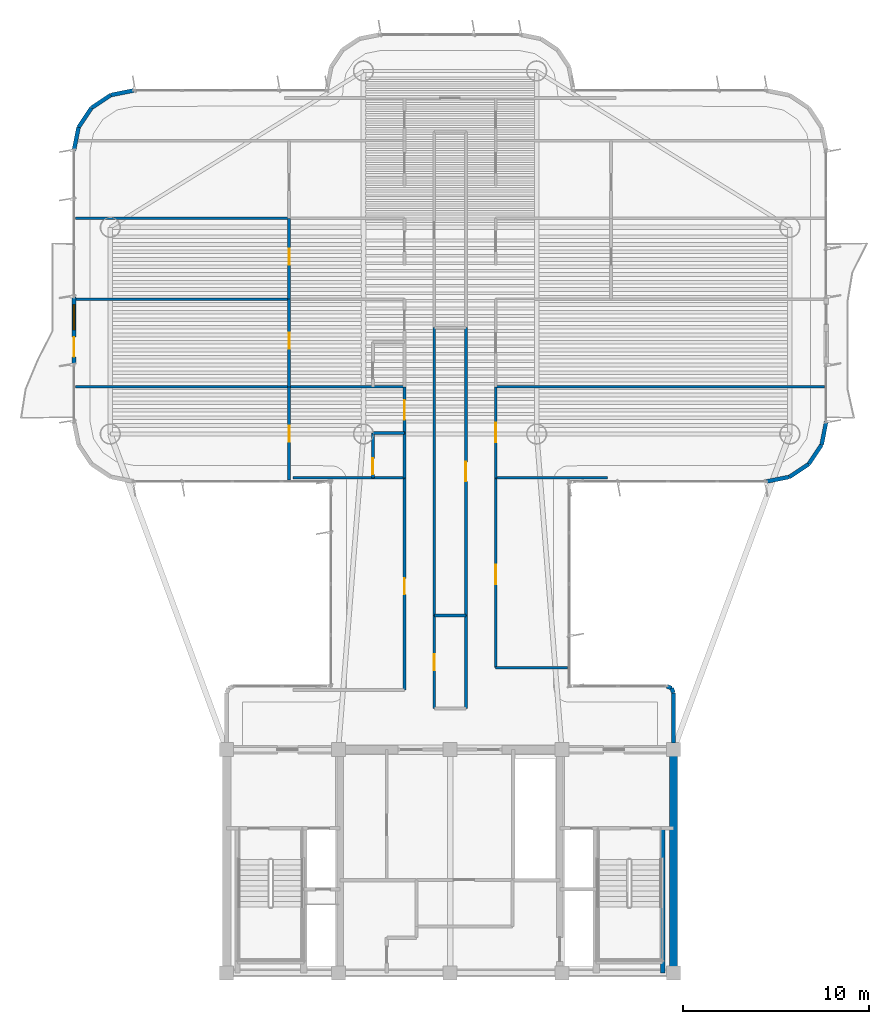
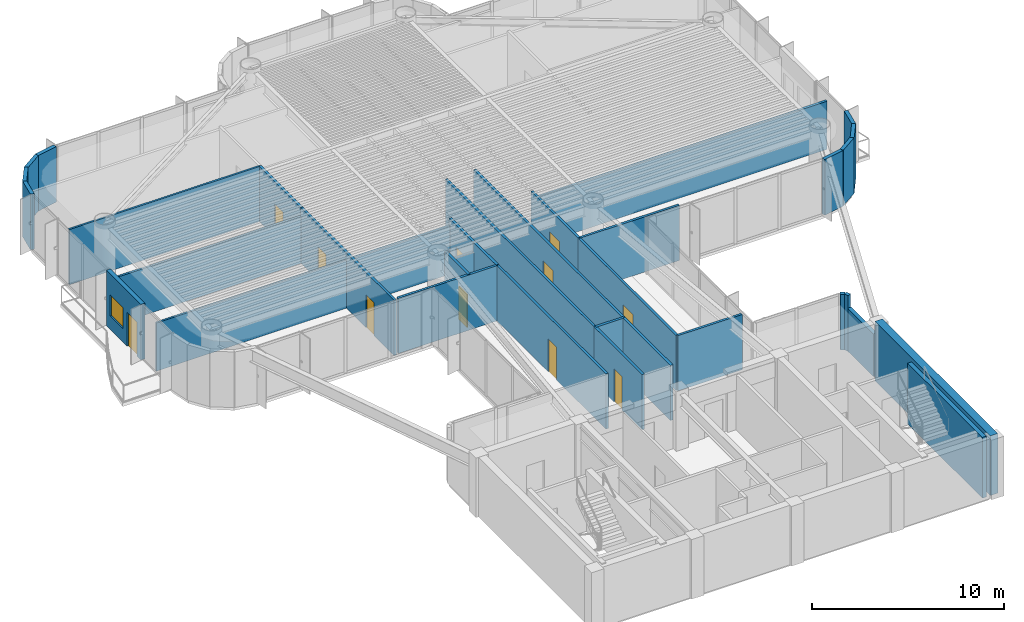
# One storey, part 10 of 14: 37 walls, 11 doors, 1 window, 12 openings.
"""IFC4 building model written with IfcOpenShell, lengths in metres."""

from ifc_helpers import new_model, si_unit, direction, frame, frame_2d, origin, origin_2d, place, context, subcontext, project, spatial, rectangle, extrude, source, transform, mapped, material, layer, layer_set, type_object, element, fill, save


model = new_model("IFC4")

# Units and contexts
model_context = context("Model", 3, precision=1e-05, world=origin(), true_north=direction((0.0, 1.0)))
body_context = subcontext(model_context, "Body", "Model", "MODEL_VIEW")
ifc_project = project(units=[si_unit("LENGTHUNIT", "METRE"), si_unit("AREAUNIT", "SQUARE_METRE"), si_unit("VOLUMEUNIT", "CUBIC_METRE"), si_unit("PLANEANGLEUNIT", "RADIAN"), si_unit("MASSUNIT", "GRAM", prefix="KILO")], contexts=[model_context])

# Site, building, storey
site_placement = place(None, origin())
site = spatial("IfcSite", under=ifc_project, at=site_placement, CompositionType="ELEMENT")
building_placement = place(site_placement, origin())
building = spatial("IfcBuilding", under=site, at=building_placement, Name="Brelvock Crest Care Tower", CompositionType="ELEMENT")
storey_placement = place(building_placement, frame((0.0, 0.0, 198.0)))
storey = spatial("IfcBuildingStorey", under=building, at=storey_placement, Name="L50", CompositionType="ELEMENT", Elevation=198.0)

# Walls
ifc_material_1 = material(Name="Concrete S65 (65 MPa)", Category="concrete")
ifc_layer_1 = layer(ifc_material_1, 0.449951171875, Name="WL-CS3")
ifc_layer_set_1 = layer_set([ifc_layer_1], Name="Concrete S65 (65 MPa)")
wall_type_1 = type_object("IfcWallType", Name="WL-CS3", PredefinedType="SHEAR", material=ifc_layer_set_1)
wall_1_placement = place(storey_placement, frame((48.0, 18.0, 0.0), z_axis=(0.0, 0.0, 1.0), x_axis=(0.0, -1.0, 0.0)))
element("IfcWall", 1, at=wall_1_placement, inside=storey, type_object=wall_type_1, Name="L50 Core East Shear Wall", PredefinedType="SHEAR", context=body_context, shape_type="SweptSolid", body=[
    extrude(rectangle(XDim=12.0, YDim=0.449951171875, at=frame_2d((6.0, 0.0))), origin(), (0.0, 0.0, 1.0), 3.780029296875),
])
ifc_material_2 = material(Name="Concrete S80 (80 MPa)", Category="concrete")
ifc_layer_2 = layer(ifc_material_2, 0.25, Name="WL-CS6")
ifc_layer_set_2 = layer_set([ifc_layer_2], Name="Concrete S80 (80 MPa)")
wall_type_2 = type_object("IfcWallType", Name="WL-CS6", PredefinedType="SHEAR", material=ifc_layer_set_2)
wall_2_placement = place(storey_placement, frame((47.419921875, 6.0, 0.0), z_axis=(0.0, 0.0, 1.0), x_axis=(0.0, 1.0, 0.0)))
element("IfcWall", 2, at=wall_2_placement, inside=storey, type_object=wall_type_2, Name="L50 Core Stair ST-2 East Shear Wall", PredefinedType="SHEAR", context=body_context, shape_type="SweptSolid", body=[
    extrude(rectangle(XDim=7.780029296875, YDim=0.25, at=frame_2d((3.89013671875, 0.0))), origin(), (0.0, 0.0, 1.0), 3.85009765625),
])

# Wall, openings, door, window
ifc_material_3 = material(Name="Precast concrete N40 (40 MPa)", Category="concrete")
ifc_layer_3 = layer(ifc_material_3, 0.239990234375, Name="WL-EX1")
ifc_layer_set_3 = layer_set([ifc_layer_3], Name="Precast concrete N40 (40 MPa)")
wall_type_3 = type_object("IfcWallType", Name="WL-EX1", PredefinedType="SOLIDWALL", material=ifc_layer_set_3)
wall_3_placement = place(storey_placement, frame((15.800048828125, 38.699951171875, 0.0), z_axis=(0.0, 0.0, 1.0), x_axis=(0.0, 1.0, 0.0)))
wall_3 = element("IfcWall", 3, at=wall_3_placement, inside=storey, type_object=wall_type_3, Name="L50 Exterior Spandrel Wall WL-BAL-L50-W", PredefinedType="SOLIDWALL", context=body_context, shape_type="SweptSolid", body=[
    extrude(rectangle(XDim=3.60009765625, YDim=0.239990234375, at=frame_2d((1.800048828125, 0.0))), origin(), (0.0, 0.0, 1.0), 3.530029296875),
])
opening_1_placement = place(wall_3_placement, frame((0.39990234375, 0.0, 0.0)))
opening_1 = element("IfcOpeningElement", 4, at=opening_1_placement, cuts=wall_3, Name="Opening BD-1", PredefinedType="OPENING", context=body_context, shape_type="SweptSolid", body=[
    extrude(rectangle(XDim=1.050048828125, YDim=2.14990234375, at=origin_2d()), frame((0.52490234375, 0.1298828125, 1.074951171875), z_axis=(0.0, -1.0, 0.0), x_axis=(1.0, 0.0, 0.0)), (0.0, 0.0, 1.0), 0.260009765625),
])
opening_2_placement = place(wall_3_placement, frame((1.85009765625, 0.0, 0.85009765625)))
opening_2 = element("IfcOpeningElement", 5, at=opening_2_placement, cuts=wall_3, Name="Opening W-01", PredefinedType="OPENING", context=body_context, shape_type="SweptSolid", body=[
    extrude(rectangle(XDim=1.35009765625, YDim=1.35009765625, at=origin_2d()), frame((0.675048828125, 0.1298828125, 0.675048828125), z_axis=(0.0, -1.0, 0.0), x_axis=(1.0, 0.0, 0.0)), (0.0, 0.0, 1.0), 0.260009765625),
])
ifc_material_4 = material(Name="Dark Glass Double Glazed Low-E", Category="glass")
door_type_1 = type_object("IfcDoorType", Name="DR-BAL1", OperationType="NOTDEFINED", PredefinedType="DOOR", material=ifc_material_4)
shared_shape_1 = source(origin(), body_context, "Body", "SweptSolid", [
    extrude(rectangle(XDim=1.050048828125, YDim=2.14990234375, at=origin_2d()), frame((0.52490234375, 0.02490234375, 1.074951171875), z_axis=(0.0, -1.0, 0.0), x_axis=(1.0, 0.0, 0.0)), (0.0, 0.0, 1.0), 0.050048828125),
])
door_1_placement = place(opening_1_placement, origin())
door_1 = element("IfcDoor", 6, at=door_1_placement, inside=storey, type_object=door_type_1, Name="L50 W Wave Balcony Glazed Door", OperationType="SINGLE_SWING_LEFT", OverallHeight=2.14990234375, OverallWidth=1.050048828125, PredefinedType="DOOR", context=body_context, shape_type="MappedRepresentation", body=[
    mapped(shared_shape_1, transform((0.0, 0.0, 0.0), x_axis=(1.0, 0.0, 0.0), y_axis=(0.0, 1.0, 0.0), z_axis=(0.0, 0.0, 1.0), scale=1.0)),
])
fill(opening_1, door_1)
window_type = type_object("IfcWindowType", Name="WN-EX1", PartitioningType="SINGLE_PANEL", PredefinedType="WINDOW", material=ifc_material_4)
shared_shape_2 = source(origin(), body_context, "Body", "SweptSolid", [
    extrude(rectangle(XDim=1.35009765625, YDim=1.35009765625, at=origin_2d()), frame((0.675048828125, 0.030029296875, 0.675048828125), z_axis=(0.0, -1.0, 0.0), x_axis=(1.0, 0.0, 0.0)), (0.0, 0.0, 1.0), 0.06005859375),
])
window_placement = place(opening_2_placement, origin())
window = element("IfcWindow", 7, at=window_placement, inside=storey, type_object=window_type, Name="L50 W Suite Casement Window", OverallHeight=1.35009765625, OverallWidth=1.35009765625, PartitioningType="SINGLE_PANEL", PredefinedType="WINDOW", context=body_context, shape_type="MappedRepresentation", body=[
    mapped(shared_shape_2, transform((0.0, 0.0, 0.0), x_axis=(1.0, 0.0, 0.0), y_axis=(0.0, 1.0, 0.0), z_axis=(0.0, 0.0, 1.0), scale=1.0)),
])
fill(opening_2, window)

# Walls
ifc_layer_4 = layer(ifc_material_3, 0.215087890625, Name="WL-EX2")
ifc_layer_set_4 = layer_set([ifc_layer_4], Name="Precast concrete N40 (40 MPa)")
wall_type_4 = type_object("IfcWallType", Name="WL-EX2", PredefinedType="SOLIDWALL", material=ifc_layer_set_4)
wall_4_placement = place(storey_placement, frame((47.8974609375, 21.297607421875, 0.0), z_axis=(0.0, 0.0, 1.0), x_axis=(0.382673670509, -0.923883575944, 0.0)))
element("IfcWall", 8, at=wall_4_placement, inside=storey, type_object=wall_type_4, Name="L50 Rounded Corner Wall 00", PredefinedType="SOLIDWALL", context=body_context, shape_type="SweptSolid", body=[
    extrude(rectangle(XDim=0.26806640625, YDim=0.215087890625, at=frame_2d((0.134033203125, 0.0))), origin(), (0.0, 0.0, 1.0), 3.530029296875),
])
wall_5_placement = place(storey_placement, frame((48.0, 21.050048828125, 0.0), z_axis=(0.0, 0.0, 1.0), x_axis=(0.0, -1.0, 0.0)))
element("IfcWall", 9, at=wall_5_placement, inside=storey, type_object=wall_type_4, Name="L50 Rounded Corner Wall 01", PredefinedType="SOLIDWALL", context=body_context, shape_type="SweptSolid", body=[
    extrude(rectangle(XDim=2.695068359375, YDim=0.215087890625, at=frame_2d((1.34765625, 0.0))), origin(), (0.0, 0.0, 1.0), 2.718017578125),
])
for number, where, z_axis, x_axis, name in (
    (10, (15.800048828125, 50.199951171875, 0.0), (0.0, 0.0, 1.0), (0.195138390419, 0.980775717779, 0.0), "L50 Rounded Corner Wall 18"),
    (11, (16.043701171875, 51.424560546875, 0.0), (0.0, 0.0, 1.0), (0.555557312883, 0.831478245117, 0.0), "L50 Rounded Corner Wall 19"),
    (12, (16.7373046875, 52.462646484375, 0.0), (0.0, 0.0, 1.0), (0.831387912822, 0.555692485475, 0.0), "L50 Rounded Corner Wall 20"),
    (13, (17.775390625, 53.156494140625, 0.0), (0.0, 0.0, 1.0), (0.980813122964, 0.194950295773, 0.0), "L50 Rounded Corner Wall 21"),
    (14, (56.199951171875, 35.60009765625, 0.0), (0.0, 0.0, 1.0), (-0.195138390419, -0.980775717779, 0.0), "L50 Rounded Corner Wall 40"),
    (15, (55.956298828125, 34.37548828125, 0.0), (0.0, 0.0, 1.0), (-0.555557312883, -0.831478245117, 0.0), "L50 Rounded Corner Wall 41"),
    (16, (55.2626953125, 33.33740234375, 0.0), (0.0, 0.0, 1.0), (-0.831387912822, -0.555692485475, 0.0), "L50 Rounded Corner Wall 42"),
    (17, (54.224609375, 32.6435546875, 0.0), (0.0, 0.0, 1.0), (-0.980775717779, -0.195138390419, 0.0), "L50 Rounded Corner Wall 43"),
):
    element("IfcWall", number, at=place(storey_placement, frame(where, z_axis=z_axis, x_axis=x_axis)), inside=storey, type_object=wall_type_4, Name=name, PredefinedType="SOLIDWALL", context=body_context, shape_type="SweptSolid", body=[
        extrude(rectangle(XDim=1.24853515625, YDim=0.215087890625, at=frame_2d((0.624267578125, 0.0))), origin(), (0.0, 0.0, 1.0), 3.530029296875),
    ])
wall_6_placement = place(storey_placement, frame((47.64990234375, 21.39990234375, 0.0), z_axis=(0.0, 0.0, 1.0), x_axis=(0.924205486139, -0.381895560841, 0.0)))
element("IfcWall", 18, at=wall_6_placement, inside=storey, type_object=wall_type_4, Name="L50 Rounded Corner Wall 47", PredefinedType="SOLIDWALL", context=body_context, shape_type="SweptSolid", body=[
    extrude(rectangle(XDim=0.267822265625, YDim=0.215087890625, at=frame_2d((0.1337890625, 0.0))), origin(), (0.0, 0.0, 1.0), 3.530029296875),
])
ifc_material_5 = material(Name="Masonry Blockwork Acoustic Partition", Category="masonry")
ifc_layer_5 = layer(ifc_material_5, 0.14990234375, Name="WL-INT1")
ifc_layer_set_5 = layer_set([ifc_layer_5], Name="Masonry Blockwork Acoustic Partition")
wall_type_5 = type_object("IfcWallType", Name="WL-INT1", PredefinedType="PARTITIONING", material=ifc_layer_set_5)
wall_7_placement = place(storey_placement, frame((38.449951171875, 22.39990234375, 0.0), z_axis=(0.0, 0.0, 1.0), x_axis=(1.0, 0.0, 0.0)))
element("IfcWall", 19, at=wall_7_placement, inside=storey, type_object=wall_type_5, Name="L50 Interior Wall WL-BX-L50-THRE-S", PredefinedType="PARTITIONING", context=body_context, shape_type="SweptSolid", body=[
    extrude(rectangle(XDim=3.8701171875, YDim=0.14990234375, at=frame_2d((1.93505859375, 0.0))), origin(), (0.0, 0.0, 1.0), 3.5),
])
wall_8_placement = place(storey_placement, frame((27.55712890625, 32.60009765625, 0.0), z_axis=(0.0, 0.0, 1.0), x_axis=(1.0, 0.0, 0.0)))
element("IfcWall", 20, at=wall_8_placement, inside=storey, type_object=wall_type_5, Name="L50 Interior Wall WL-BX-L50-CS-WS1-S", PredefinedType="PARTITIONING", context=body_context, shape_type="SweptSolid", body=[
    extrude(rectangle(XDim=5.992919921875, YDim=0.14990234375, at=frame_2d((2.99658203125, 0.0))), origin(), (0.0, 0.0, 1.0), 3.5),
])
wall_9_placement = place(storey_placement, frame((38.449951171875, 32.60009765625, 0.0), z_axis=(0.0, 0.0, 1.0), x_axis=(1.0, 0.0, 0.0)))
element("IfcWall", 21, at=wall_9_placement, inside=storey, type_object=wall_type_5, Name="L50 Interior Wall WL-BX-L50-ESW1-S", PredefinedType="PARTITIONING", context=body_context, shape_type="SweptSolid", body=[
    extrude(rectangle(XDim=5.993408203125, YDim=0.14990234375, at=frame_2d((2.99658203125, 0.0))), origin(), (0.0, 0.0, 1.0), 3.5),
])
wall_10_placement = place(storey_placement, frame((27.35009765625, 37.487060546875, 0.0), z_axis=(0.0, 0.0, 1.0), x_axis=(1.0, 0.0, 0.0)))
element("IfcWall", 22, at=wall_10_placement, inside=storey, type_object=wall_type_5, Name="L50 Interior Wall WL-BX-L50-CS-WS1-N", PredefinedType="PARTITIONING", context=body_context, shape_type="SweptSolid", body=[
    extrude(rectangle(XDim=6.199951171875, YDim=0.14990234375, at=frame_2d((3.10009765625, 0.0))), origin(), (0.0, 0.0, 1.0), 3.054931640625),
])
wall_11_placement = place(storey_placement, frame((38.449951171875, 37.487060546875, 0.0), z_axis=(0.0, 0.0, 1.0), x_axis=(1.0, 0.0, 0.0)))
element("IfcWall", 23, at=wall_11_placement, inside=storey, type_object=wall_type_5, Name="L50 Interior Wall WL-BX-L50-ESW1-N", PredefinedType="PARTITIONING", context=body_context, shape_type="SweptSolid", body=[
    extrude(rectangle(XDim=17.670166015625, YDim=0.14990234375, at=frame_2d((8.8349609375, 0.0))), origin(), (0.0, 0.0, 1.0), 3.054931640625),
])

# Wall, opening, door
wall_12_placement = place(storey_placement, frame((27.35009765625, 32.47998046875, 0.0), z_axis=(0.0, 0.0, 1.0), x_axis=(0.0, 1.0, 0.0)))
wall_12 = element("IfcWall", 24, at=wall_12_placement, inside=storey, type_object=wall_type_5, Name="L50 Interior Wall WL-RM-L50-WS1S", PredefinedType="PARTITIONING", context=body_context, shape_type="SweptSolid", body=[
    extrude(rectangle(XDim=5.007080078125, YDim=0.14990234375, at=frame_2d((2.50341796875, 0.0))), origin(), (0.0, 0.0, 1.0), 3.5),
])
opening_3_placement = place(wall_12_placement, frame((2.06005859375, 0.0, 0.0)))
opening_3 = element("IfcOpeningElement", 25, at=opening_3_placement, cuts=wall_12, Name="Opening ID-1", PredefinedType="OPENING", context=body_context, shape_type="SweptSolid", body=[
    extrude(rectangle(XDim=0.860107421875, YDim=2.10009765625, at=origin_2d()), frame((0.43017578125, 0.0849609375, 1.050048828125), z_axis=(0.0, -1.0, 0.0), x_axis=(1.0, 0.0, 0.0)), (0.0, 0.0, 1.0), 0.169921875),
])
ifc_material_6 = material(Name="Engineered Hardwood Timber", Category="wood")
door_type_2 = type_object("IfcDoorType", Name="DR-INT1", OperationType="NOTDEFINED", PredefinedType="DOOR", material=ifc_material_6)
shared_shape_3 = source(origin(), body_context, "Body", "SweptSolid", [
    extrude(rectangle(XDim=0.860107421875, YDim=2.10009765625, at=origin_2d()), frame((0.43017578125, 0.02490234375, 1.050048828125), z_axis=(0.0, -1.0, 0.0), x_axis=(1.0, 0.0, 0.0)), (0.0, 0.0, 1.0), 0.050048828125),
])
door_2_placement = place(opening_3_placement, origin())
door_2 = element("IfcDoor", 26, at=door_2_placement, inside=storey, type_object=door_type_2, Name="L50 Skilled Nursing Mobility Store Door WS1S", OperationType="SINGLE_SWING_LEFT", OverallHeight=2.10009765625, OverallWidth=0.860107421875, PredefinedType="DOOR", context=body_context, shape_type="MappedRepresentation", body=[
    mapped(shared_shape_3, transform((0.0, 0.0, 0.0), x_axis=(1.0, 0.0, 0.0), y_axis=(0.0, 1.0, 0.0), z_axis=(0.0, 0.0, 1.0), scale=1.0)),
])
fill(opening_3, door_2)

wall_13_placement = place(storey_placement, frame((27.35009765625, 37.487060546875, 0.0), z_axis=(0.0, 0.0, 1.0), x_axis=(0.0, 1.0, 0.0)))
wall_13 = element("IfcWall", 27, at=wall_13_placement, inside=storey, type_object=wall_type_5, Name="L50 Interior Wall WL-RM-L50-WS2S", PredefinedType="PARTITIONING", context=body_context, shape_type="SweptSolid", body=[
    extrude(rectangle(XDim=4.7060546875, YDim=0.14990234375, at=frame_2d((2.35302734375, 0.0))), origin(), (0.0, 0.0, 1.0), 3.5),
])
opening_4_placement = place(wall_13_placement, frame((2.052978515625, 0.0, 0.0)))
opening_4 = element("IfcOpeningElement", 28, at=opening_4_placement, cuts=wall_13, Name="Opening ID-1", PredefinedType="OPENING", context=body_context, shape_type="SweptSolid", body=[
    extrude(rectangle(XDim=0.860107421875, YDim=2.10009765625, at=origin_2d()), frame((0.43017578125, 0.0849609375, 1.050048828125), z_axis=(0.0, -1.0, 0.0), x_axis=(1.0, 0.0, 0.0)), (0.0, 0.0, 1.0), 0.169921875),
])
door_3_placement = place(opening_4_placement, origin())
door_3 = element("IfcDoor", 29, at=door_3_placement, inside=storey, type_object=door_type_2, Name="L50 Skilled Nursing Mobility Store Door WS2S", OperationType="SINGLE_SWING_LEFT", OverallHeight=2.10009765625, OverallWidth=0.860107421875, PredefinedType="DOOR", context=body_context, shape_type="MappedRepresentation", body=[
    mapped(shared_shape_3, transform((0.0, 0.0, 0.0), x_axis=(1.0, 0.0, 0.0), y_axis=(0.0, 1.0, 0.0), z_axis=(0.0, 0.0, 1.0), scale=1.0)),
])
fill(opening_4, door_3)

wall_14_placement = place(storey_placement, frame((27.35009765625, 42.193115234375, 0.0), z_axis=(0.0, 0.0, 1.0), x_axis=(0.0, 1.0, 0.0)))
wall_14 = element("IfcWall", 30, at=wall_14_placement, inside=storey, type_object=wall_type_5, Name="L50 Interior Wall WL-RM-L50-WS3S", PredefinedType="PARTITIONING", context=body_context, shape_type="SweptSolid", body=[
    extrude(rectangle(XDim=4.343994140625, YDim=0.14990234375, at=frame_2d((2.171875, 0.0))), origin(), (0.0, 0.0, 1.0), 3.5),
])
opening_5_placement = place(wall_14_placement, frame((1.846923828125, 0.0, 0.0)))
opening_5 = element("IfcOpeningElement", 31, at=opening_5_placement, cuts=wall_14, Name="Opening ID-1", PredefinedType="OPENING", context=body_context, shape_type="SweptSolid", body=[
    extrude(rectangle(XDim=0.860107421875, YDim=2.10009765625, at=origin_2d()), frame((0.43017578125, 0.0849609375, 1.050048828125), z_axis=(0.0, -1.0, 0.0), x_axis=(1.0, 0.0, 0.0)), (0.0, 0.0, 1.0), 0.169921875),
])
door_4_placement = place(opening_5_placement, origin())
door_4 = element("IfcDoor", 32, at=door_4_placement, inside=storey, type_object=door_type_2, Name="L50 Skilled Nursing Mobility Store Door WS3S", OperationType="SINGLE_SWING_LEFT", OverallHeight=2.10009765625, OverallWidth=0.860107421875, PredefinedType="DOOR", context=body_context, shape_type="MappedRepresentation", body=[
    mapped(shared_shape_3, transform((0.0, 0.0, 0.0), x_axis=(1.0, 0.0, 0.0), y_axis=(0.0, 1.0, 0.0), z_axis=(0.0, 0.0, 1.0), scale=1.0)),
])
fill(opening_5, door_4)

wall_15_placement = place(storey_placement, frame((33.550048828125, 21.199951171875, 0.0), z_axis=(0.0, 0.0, 1.0), x_axis=(0.0, 1.0, 0.0)))
wall_15 = element("IfcWall", 33, at=wall_15_placement, inside=storey, type_object=wall_type_5, Name="L50 Interior Wall WL-RM-L50-THRW", PredefinedType="PARTITIONING", context=body_context, shape_type="SweptSolid", body=[
    extrude(rectangle(XDim=11.400146484375, YDim=0.14990234375, at=frame_2d((5.7001953125, 0.0))), origin(), (0.0, 0.0, 1.0), 3.5),
])
opening_6_placement = place(wall_15_placement, frame((5.139892578125, 0.0, 0.0)))
opening_6 = element("IfcOpeningElement", 34, at=opening_6_placement, cuts=wall_15, Name="Opening ID-1", PredefinedType="OPENING", context=body_context, shape_type="SweptSolid", body=[
    extrude(rectangle(XDim=0.860107421875, YDim=2.10009765625, at=origin_2d()), frame((0.43017578125, 0.0849609375, 1.050048828125), z_axis=(0.0, -1.0, 0.0), x_axis=(1.0, 0.0, 0.0)), (0.0, 0.0, 1.0), 0.169921875),
])
door_5_placement = place(opening_6_placement, origin())
door_5 = element("IfcDoor", 35, at=door_5_placement, inside=storey, type_object=door_type_2, Name="L50 Quiet Family Consultation Room Door THRW", OperationType="SINGLE_SWING_LEFT", OverallHeight=2.10009765625, OverallWidth=0.860107421875, PredefinedType="DOOR", context=body_context, shape_type="MappedRepresentation", body=[
    mapped(shared_shape_3, transform((0.0, 0.0, 0.0), x_axis=(1.0, 0.0, 0.0), y_axis=(0.0, 1.0, 0.0), z_axis=(0.0, 0.0, 1.0), scale=1.0)),
])
fill(opening_6, door_5)

wall_16_placement = place(storey_placement, frame((33.550048828125, 35.0, 0.0), z_axis=(0.0, 0.0, 1.0), x_axis=(0.0, 1.0, 0.0)))
wall_16 = element("IfcWall", 36, at=wall_16_placement, inside=storey, type_object=wall_type_5, Name="L50 Interior Wall WL-CENT-L50-WS1", PredefinedType="PARTITIONING", context=body_context, shape_type="SweptSolid", body=[
    extrude(rectangle(XDim=2.487060546875, YDim=0.14990234375, at=frame_2d((1.24365234375, 0.0))), origin(), (0.0, 0.0, 1.0), 3.5),
])
opening_7_placement = place(wall_16_placement, frame((0.72412109375, 0.0, 0.0)))
opening_7 = element("IfcOpeningElement", 37, at=opening_7_placement, cuts=wall_16, Name="Opening CD-1", PredefinedType="OPENING", context=body_context, shape_type="SweptSolid", body=[
    extrude(rectangle(XDim=1.050048828125, YDim=2.10009765625, at=origin_2d()), frame((0.52490234375, 0.0849609375, 1.050048828125), z_axis=(0.0, -1.0, 0.0), x_axis=(1.0, 0.0, 0.0)), (0.0, 0.0, 1.0), 0.169921875),
])
door_type_3 = type_object("IfcDoorType", Name="DR-CARE1", OperationType="NOTDEFINED", PredefinedType="DOOR", material=ifc_material_6)
shared_shape_4 = source(origin(), body_context, "Body", "SweptSolid", [
    extrude(rectangle(XDim=1.050048828125, YDim=2.10009765625, at=origin_2d()), frame((0.52490234375, 0.02490234375, 1.050048828125), z_axis=(0.0, -1.0, 0.0), x_axis=(1.0, 0.0, 0.0)), (0.0, 0.0, 1.0), 0.050048828125),
])
door_6_placement = place(opening_7_placement, origin())
door_6 = element("IfcDoor", 38, at=door_6_placement, inside=storey, type_object=door_type_3, Name="L50 Care Suite Door WS1", OperationType="SINGLE_SWING_LEFT", OverallHeight=2.10009765625, OverallWidth=1.050048828125, PredefinedType="DOOR", context=body_context, shape_type="MappedRepresentation", body=[
    mapped(shared_shape_4, transform((0.0, 0.0, 0.0), x_axis=(1.0, 0.0, 0.0), y_axis=(0.0, 1.0, 0.0), z_axis=(0.0, 0.0, 1.0), scale=1.0)),
])
fill(opening_7, door_6)

# Wall
wall_17_placement = place(storey_placement, frame((35.14990234375, 25.199951171875, 0.0), z_axis=(0.0, 0.0, 1.0), x_axis=(0.0, 1.0, 0.0)))
element("IfcWall", 39, at=wall_17_placement, inside=storey, type_object=wall_type_5, Name="L50 Interior Wall WL-BX-L50-ISNS-W", PredefinedType="PARTITIONING", context=body_context, shape_type="SweptSolid", body=[
    extrude(rectangle(XDim=15.4599609375, YDim=0.14990234375, at=frame_2d((7.72998046875, 0.0))), origin(), (0.0, 0.0, 1.0), 3.5),
])

# Wall, opening, door
wall_18_placement = place(storey_placement, frame((36.85009765625, 25.199951171875, 0.0), z_axis=(0.0, 0.0, 1.0), x_axis=(0.0, 1.0, 0.0)))
wall_18 = element("IfcWall", 40, at=wall_18_placement, inside=storey, type_object=wall_type_5, Name="L50 Interior Wall WL-RM-L50-ISNS", PredefinedType="PARTITIONING", context=body_context, shape_type="SweptSolid", body=[
    extrude(rectangle(XDim=15.4599609375, YDim=0.14990234375, at=frame_2d((7.72998046875, 0.0))), origin(), (0.0, 0.0, 1.0), 3.5),
])
opening_8_placement = place(wall_18_placement, frame((7.205078125, 0.0, 0.0)))
opening_8 = element("IfcOpeningElement", 41, at=opening_8_placement, cuts=wall_18, Name="Opening CLD-1", PredefinedType="OPENING", context=body_context, shape_type="SweptSolid", body=[
    extrude(rectangle(XDim=1.050048828125, YDim=2.10009765625, at=origin_2d()), frame((0.52490234375, 0.0849609375, 1.050048828125), z_axis=(0.0, -1.0, 0.0), x_axis=(1.0, 0.0, 0.0)), (0.0, 0.0, 1.0), 0.169921875),
])
door_type_4 = type_object("IfcDoorType", Name="DR-CLN1", OperationType="NOTDEFINED", PredefinedType="DOOR", material=ifc_material_6)
shared_shape_5 = source(origin(), body_context, "Body", "SweptSolid", [
    extrude(rectangle(XDim=1.050048828125, YDim=2.10009765625, at=origin_2d()), frame((0.52490234375, 0.02490234375, 1.050048828125), z_axis=(0.0, -1.0, 0.0), x_axis=(1.0, 0.0, 0.0)), (0.0, 0.0, 1.0), 0.050048828125),
])
door_7_placement = place(opening_8_placement, origin())
door_7 = element("IfcDoor", 42, at=door_7_placement, inside=storey, type_object=door_type_4, Name="L50 Care Concierge and Triage Station Door ISNS", OperationType="SINGLE_SWING_LEFT", OverallHeight=2.10009765625, OverallWidth=1.050048828125, PredefinedType="DOOR", context=body_context, shape_type="MappedRepresentation", body=[
    mapped(shared_shape_5, transform((0.0, 0.0, 0.0), x_axis=(1.0, 0.0, 0.0), y_axis=(0.0, 1.0, 0.0), z_axis=(0.0, 0.0, 1.0), scale=1.0)),
])
fill(opening_8, door_7)

wall_19_placement = place(storey_placement, frame((38.449951171875, 22.39990234375, 0.0), z_axis=(0.0, 0.0, 1.0), x_axis=(0.0, 1.0, 0.0)))
wall_19 = element("IfcWall", 43, at=wall_19_placement, inside=storey, type_object=wall_type_5, Name="L50 Interior Wall WL-RM-L50-THRE", PredefinedType="PARTITIONING", context=body_context, shape_type="SweptSolid", body=[
    extrude(rectangle(XDim=10.2001953125, YDim=0.14990234375, at=frame_2d((5.10009765625, 0.0))), origin(), (0.0, 0.0, 1.0), 3.5),
])
opening_9_placement = place(wall_19_placement, frame((4.47509765625, 0.0, 0.0)))
opening_9 = element("IfcOpeningElement", 44, at=opening_9_placement, cuts=wall_19, Name="Opening CLD-1", PredefinedType="OPENING", context=body_context, shape_type="SweptSolid", body=[
    extrude(rectangle(XDim=1.050048828125, YDim=2.10009765625, at=origin_2d()), frame((0.52490234375, 0.0849609375, 1.050048828125), z_axis=(0.0, -1.0, 0.0), x_axis=(1.0, 0.0, 0.0)), (0.0, 0.0, 1.0), 0.169921875),
])
door_8_placement = place(opening_9_placement, origin())
door_8 = element("IfcDoor", 45, at=door_8_placement, inside=storey, type_object=door_type_4, Name="L50 Allied Health Therapy Room Door THRE", OperationType="SINGLE_SWING_LEFT", OverallHeight=2.10009765625, OverallWidth=1.050048828125, PredefinedType="DOOR", context=body_context, shape_type="MappedRepresentation", body=[
    mapped(shared_shape_5, transform((0.0, 0.0, 0.0), x_axis=(1.0, 0.0, 0.0), y_axis=(0.0, 1.0, 0.0), z_axis=(0.0, 0.0, 1.0), scale=1.0)),
])
fill(opening_9, door_8)

wall_20_placement = place(storey_placement, frame((38.449951171875, 32.60009765625, 0.0), z_axis=(0.0, 0.0, 1.0), x_axis=(0.0, 1.0, 0.0)))
wall_20 = element("IfcWall", 46, at=wall_20_placement, inside=storey, type_object=wall_type_5, Name="L50 Interior Wall WL-RM-L50-ESW1", PredefinedType="PARTITIONING", context=body_context, shape_type="SweptSolid", body=[
    extrude(rectangle(XDim=4.886962890625, YDim=0.14990234375, at=frame_2d((2.443359375, 0.0))), origin(), (0.0, 0.0, 1.0), 3.5),
])
opening_10_placement = place(wall_20_placement, frame((1.9189453125, 0.0, 0.0)))
opening_10 = element("IfcOpeningElement", 47, at=opening_10_placement, cuts=wall_20, Name="Opening CD-1", PredefinedType="OPENING", context=body_context, shape_type="SweptSolid", body=[
    extrude(rectangle(XDim=1.050048828125, YDim=2.10009765625, at=origin_2d()), frame((0.52490234375, 0.0849609375, 1.050048828125), z_axis=(0.0, -1.0, 0.0), x_axis=(1.0, 0.0, 0.0)), (0.0, 0.0, 1.0), 0.169921875),
])
door_9_placement = place(opening_10_placement, origin())
door_9 = element("IfcDoor", 48, at=door_9_placement, inside=storey, type_object=door_type_3, Name="L50 Skilled Nursing Telemetry Ward Door ESW1", OperationType="SINGLE_SWING_LEFT", OverallHeight=2.10009765625, OverallWidth=1.050048828125, PredefinedType="DOOR", context=body_context, shape_type="MappedRepresentation", body=[
    mapped(shared_shape_4, transform((0.0, 0.0, 0.0), x_axis=(1.0, 0.0, 0.0), y_axis=(0.0, 1.0, 0.0), z_axis=(0.0, 0.0, 1.0), scale=1.0)),
])
fill(opening_10, door_9)

# Walls
ifc_material_7 = material(Name="Gypsum Plasterboard Partition", Category="gypsum")
ifc_layer_6 = layer(ifc_material_7, 0.1201171875, Name="WL-INT2")
ifc_layer_set_6 = layer_set([ifc_layer_6], Name="Gypsum Plasterboard Partition")
wall_type_6 = type_object("IfcWallType", Name="WL-INT2", PredefinedType="PARTITIONING", material=ifc_layer_set_6)
wall_21_placement = place(storey_placement, frame((15.8798828125, 37.487060546875, 0.0), z_axis=(0.0, 0.0, 1.0), x_axis=(1.0, 0.0, 0.0)))
element("IfcWall", 49, at=wall_21_placement, inside=storey, type_object=wall_type_6, Name="L50 Interior Wall WL-BX-L50-WS1S-N", PredefinedType="PARTITIONING", context=body_context, shape_type="SweptSolid", body=[
    extrude(rectangle(XDim=11.47021484375, YDim=0.1201171875, at=frame_2d((5.735107421875, 0.0))), origin(), (0.0, 0.0, 1.0), 3.054931640625),
])
wall_22_placement = place(storey_placement, frame((15.8798828125, 42.193115234375, 0.0), z_axis=(0.0, 0.0, 1.0), x_axis=(1.0, 0.0, 0.0)))
element("IfcWall", 50, at=wall_22_placement, inside=storey, type_object=wall_type_6, Name="L50 Interior Wall WL-BX-L50-WS2S-N", PredefinedType="PARTITIONING", context=body_context, shape_type="SweptSolid", body=[
    extrude(rectangle(XDim=11.47021484375, YDim=0.1201171875, at=frame_2d((5.735107421875, 0.0))), origin(), (0.0, 0.0, 1.0), 2.98193359375),
])
wall_23_placement = place(storey_placement, frame((15.8798828125, 46.537109375, 0.0), z_axis=(0.0, 0.0, 1.0), x_axis=(1.0, 0.0, 0.0)))
element("IfcWall", 51, at=wall_23_placement, inside=storey, type_object=wall_type_6, Name="L50 Interior Wall WL-BX-L50-WS3S-N", PredefinedType="PARTITIONING", context=body_context, shape_type="SweptSolid", body=[
    extrude(rectangle(XDim=11.47021484375, YDim=0.1201171875, at=frame_2d((5.735107421875, 0.0))), origin(), (0.0, 0.0, 1.0), 3.5),
])
ifc_layer_7 = layer(ifc_material_7, 0.159912109375, Name="WL-PLM1")
ifc_layer_set_7 = layer_set([ifc_layer_7], Name="Gypsum Plasterboard Partition")
wall_type_7 = type_object("IfcWallType", Name="WL-PLM1", PredefinedType="PLUMBINGWALL", material=ifc_layer_set_7)
wall_24_placement = place(storey_placement, frame((35.14990234375, 25.199951171875, 0.0), z_axis=(0.0, 0.0, 1.0), x_axis=(1.0, 0.0, 0.0)))
element("IfcWall", 52, at=wall_24_placement, inside=storey, type_object=wall_type_7, Name="L50 Interior Wall WL-BX-L50-ISNS-S", PredefinedType="PLUMBINGWALL", context=body_context, shape_type="SweptSolid", body=[
    extrude(rectangle(XDim=1.7001953125, YDim=0.159912109375, at=frame_2d((0.85009765625, 0.0))), origin(), (0.0, 0.0, 1.0), 3.5),
])
wall_25_placement = place(storey_placement, frame((31.85009765625, 35.0, 0.0), z_axis=(0.0, 0.0, 1.0), x_axis=(1.0, 0.0, 0.0)))
element("IfcWall", 53, at=wall_25_placement, inside=storey, type_object=wall_type_7, Name="L50 Interior Wall WL-CENS2-L50-WS1", PredefinedType="PLUMBINGWALL", context=body_context, shape_type="SweptSolid", body=[
    extrude(rectangle(XDim=1.699951171875, YDim=0.159912109375, at=frame_2d((0.85009765625, 0.0))), origin(), (0.0, 0.0, 1.0), 2.903076171875),
])

# Wall, opening, door
wall_26_placement = place(storey_placement, frame((31.85009765625, 32.60009765625, 0.0), z_axis=(0.0, 0.0, 1.0), x_axis=(0.0, 1.0, 0.0)))
wall_26 = element("IfcWall", 54, at=wall_26_placement, inside=storey, type_object=wall_type_7, Name="L50 Interior Wall WL-CENS1-L50-WS1", PredefinedType="PLUMBINGWALL", context=body_context, shape_type="SweptSolid", body=[
    extrude(rectangle(XDim=2.39990234375, YDim=0.159912109375, at=frame_2d((1.199951171875, 0.0))), origin(), (0.0, 0.0, 1.0), 3.5),
])
opening_11_placement = place(wall_26_placement, frame((0.179931640625, 0.0, 0.0)))
opening_11 = element("IfcOpeningElement", 55, at=opening_11_placement, cuts=wall_26, Name="Opening WD-1", PredefinedType="OPENING", context=body_context, shape_type="SweptSolid", body=[
    extrude(rectangle(XDim=0.860107421875, YDim=2.10009765625, at=origin_2d()), frame((0.43017578125, 0.08984375, 1.050048828125), z_axis=(0.0, -1.0, 0.0), x_axis=(1.0, 0.0, 0.0)), (0.0, 0.0, 1.0), 0.179931640625),
])
door_type_5 = type_object("IfcDoorType", Name="DR-WC1", OperationType="NOTDEFINED", PredefinedType="DOOR", material=ifc_material_6)
shared_shape_6 = source(origin(), body_context, "Body", "SweptSolid", [
    extrude(rectangle(XDim=0.860107421875, YDim=2.10009765625, at=origin_2d()), frame((0.43017578125, 0.02490234375, 1.050048828125), z_axis=(0.0, -1.0, 0.0), x_axis=(1.0, 0.0, 0.0)), (0.0, 0.0, 1.0), 0.050048828125),
])
door_10_placement = place(opening_11_placement, origin())
door_10 = element("IfcDoor", 56, at=door_10_placement, inside=storey, type_object=door_type_5, Name="L50 Care En-Suite Door WS1", OperationType="SINGLE_SWING_LEFT", OverallHeight=2.10009765625, OverallWidth=0.860107421875, PredefinedType="DOOR", context=body_context, shape_type="MappedRepresentation", body=[
    mapped(shared_shape_6, transform((0.0, 0.0, 0.0), x_axis=(1.0, 0.0, 0.0), y_axis=(0.0, 1.0, 0.0), z_axis=(0.0, 0.0, 1.0), scale=1.0)),
])
fill(opening_11, door_10)

# Wall
wall_27_placement = place(storey_placement, frame((33.550048828125, 32.60009765625, 0.0), z_axis=(0.0, 0.0, 1.0), x_axis=(0.0, 1.0, 0.0)))
element("IfcWall", 57, at=wall_27_placement, inside=storey, type_object=wall_type_7, Name="L50 Interior Wall WL-CENS0-L50-WS1", PredefinedType="PLUMBINGWALL", context=body_context, shape_type="SweptSolid", body=[
    extrude(rectangle(XDim=2.39990234375, YDim=0.159912109375, at=frame_2d((1.199951171875, 0.0))), origin(), (0.0, 0.0, 1.0), 3.5),
])

# Wall, opening, door
wall_28_placement = place(storey_placement, frame((35.14990234375, 20.199951171875, 0.0), z_axis=(0.0, 0.0, 1.0), x_axis=(0.0, 1.0, 0.0)))
wall_28 = element("IfcWall", 58, at=wall_28_placement, inside=storey, type_object=wall_type_7, Name="L50 Interior Wall WL-RM-L50-ISWC", PredefinedType="PLUMBINGWALL", context=body_context, shape_type="SweptSolid", body=[
    extrude(rectangle(XDim=5.0, YDim=0.159912109375, at=frame_2d((2.5, 0.0))), origin(), (0.0, 0.0, 1.0), 3.5),
])
opening_12_placement = place(wall_28_placement, frame((2.070068359375, 0.0, 0.0)))
opening_12 = element("IfcOpeningElement", 59, at=opening_12_placement, cuts=wall_28, Name="Opening WD-1", PredefinedType="OPENING", context=body_context, shape_type="SweptSolid", body=[
    extrude(rectangle(XDim=0.860107421875, YDim=2.10009765625, at=origin_2d()), frame((0.43017578125, 0.08984375, 1.050048828125), z_axis=(0.0, -1.0, 0.0), x_axis=(1.0, 0.0, 0.0)), (0.0, 0.0, 1.0), 0.179931640625),
])
door_11_placement = place(opening_12_placement, origin())
door_11 = element("IfcDoor", 60, at=door_11_placement, inside=storey, type_object=door_type_5, Name="L50 High-Zone Accessible WC Door ISWC", OperationType="SINGLE_SWING_LEFT", OverallHeight=2.10009765625, OverallWidth=0.860107421875, PredefinedType="DOOR", context=body_context, shape_type="MappedRepresentation", body=[
    mapped(shared_shape_6, transform((0.0, 0.0, 0.0), x_axis=(1.0, 0.0, 0.0), y_axis=(0.0, 1.0, 0.0), z_axis=(0.0, 0.0, 1.0), scale=1.0)),
])
fill(opening_12, door_11)

# Wall
wall_29_placement = place(storey_placement, frame((36.85009765625, 20.199951171875, 0.0), z_axis=(0.0, 0.0, 1.0), x_axis=(0.0, 1.0, 0.0)))
element("IfcWall", 61, at=wall_29_placement, inside=storey, type_object=wall_type_7, Name="L50 Interior Wall WL-BX-L50-ISWC-E", PredefinedType="PLUMBINGWALL", context=body_context, shape_type="SweptSolid", body=[
    extrude(rectangle(XDim=5.0, YDim=0.159912109375, at=frame_2d((2.5, 0.0))), origin(), (0.0, 0.0, 1.0), 3.5),
])

save(model, "model.ifc")
